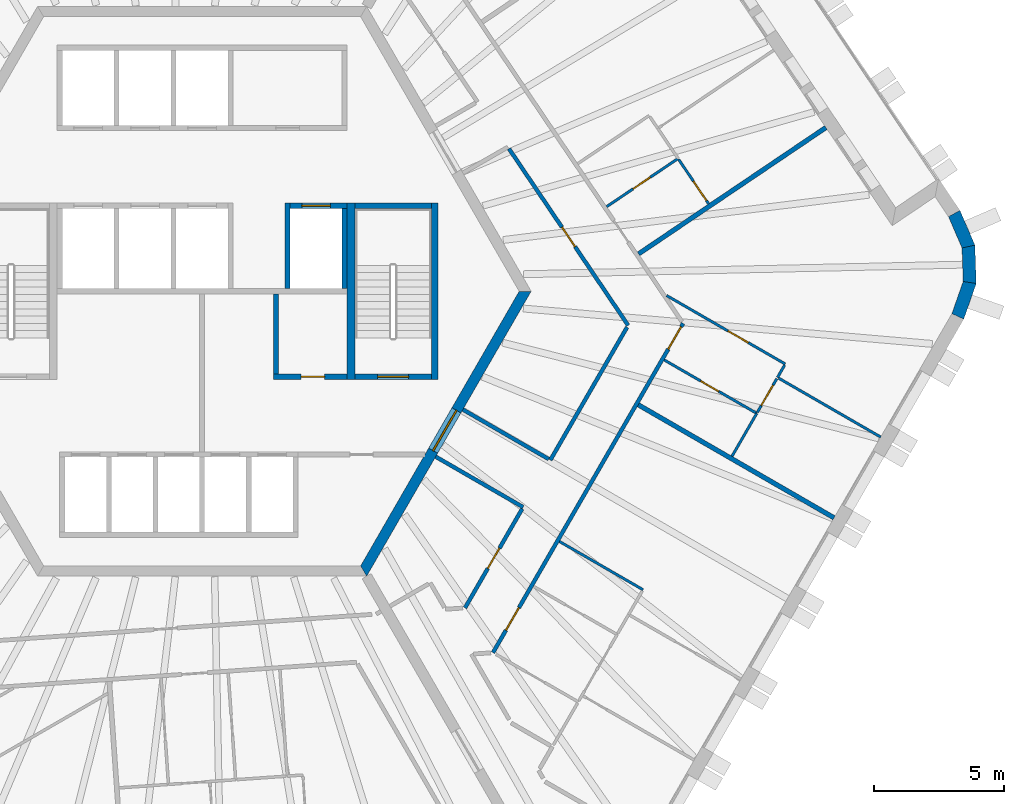
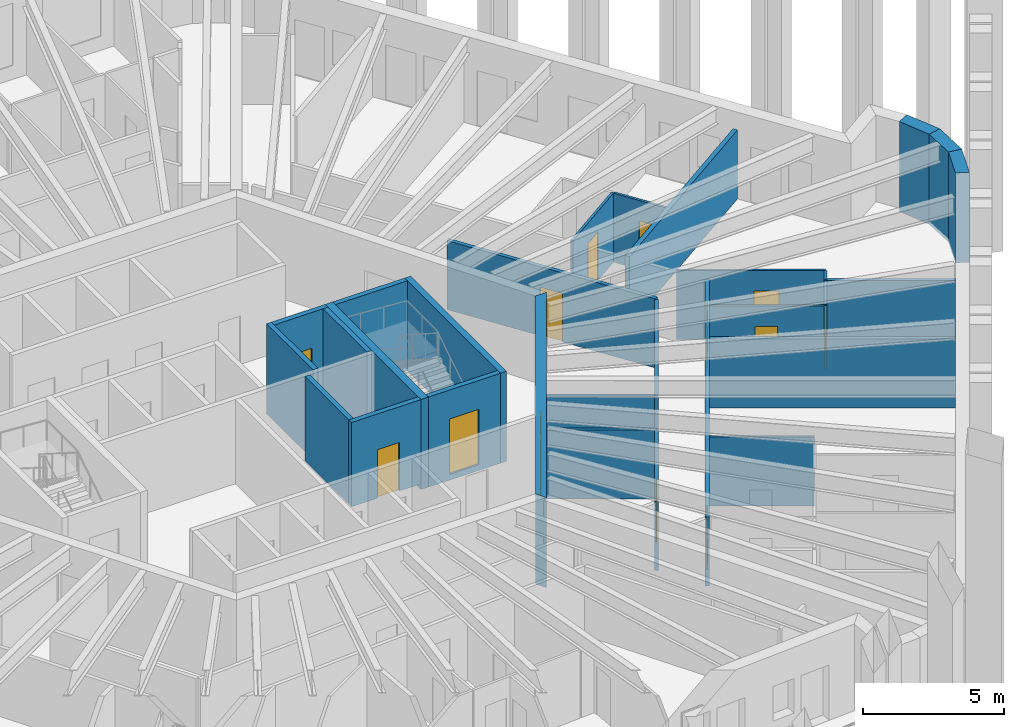
# One storey, part 7 of 13: 30 walls, 13 doors, 13 openings.
"""IFC4 building model written with IfcOpenShell, lengths in metres."""

from ifc_helpers import new_model, si_unit, direction, frame, frame_2d, origin, place, context, subcontext, project, spatial, polyline, rectangle, outline, extrude, material, layer, layer_set, type_object, element, fill, save


model = new_model("IFC4")

# Units and contexts
model_context = context("Model", 3, precision=1e-05, world=origin(), true_north=direction((0.0, 1.0)))
body_context = subcontext(model_context, "Body", "Model", "MODEL_VIEW")
ifc_project = project(units=[si_unit("LENGTHUNIT", "METRE"), si_unit("AREAUNIT", "SQUARE_METRE"), si_unit("VOLUMEUNIT", "CUBIC_METRE"), si_unit("PLANEANGLEUNIT", "RADIAN"), si_unit("MASSUNIT", "GRAM", prefix="KILO")], contexts=[model_context])

# Site, building, storey
site_placement = place(None, origin())
site = spatial("IfcSite", under=ifc_project, at=site_placement, CompositionType="ELEMENT")
building_placement = place(site_placement, origin())
building = spatial("IfcBuilding", under=site, at=building_placement, Name="Tarnside Tower", CompositionType="ELEMENT")
storey_placement = place(building_placement, frame((0.0, 0.0, 314.699951171875)))
storey = spatial("IfcBuildingStorey", under=building, at=storey_placement, Name="L76", CompositionType="ELEMENT", Elevation=314.699951171875)

# Wall
ifc_material_1 = material(Name="Gypsum board partition on steel studs", Category="steel")
ifc_layer_1 = layer(ifc_material_1, 0.10009765625)
ifc_layer_set_1 = layer_set([ifc_layer_1], Name="Bathroom wall 100")
wall_type_1 = type_object("IfcWallType", Name="Bathroom wall 100", PredefinedType="PARTITIONING", material=ifc_layer_set_1)
wall_1_placement = place(storey_placement, frame((13.7939453125, -9.657958984375, 0.0), z_axis=(0.0, 0.0, 1.0), x_axis=(0.866028424924, -0.499994767197, 0.0)))
element("IfcWall", 1, at=wall_1_placement, inside=storey, type_object=wall_type_1, Name="Bathroom wall 25146", PredefinedType="PARTITIONING", context=body_context, shape_type="SweptSolid", body=[
    extrude(rectangle(XDim=3.72509765625, YDim=0.10009765625, at=frame_2d((1.862548828125, 0.0))), origin(), (0.0, 0.0, 1.0), 2.98779296875),
])

# Wall, opening, door
wall_2_placement = place(storey_placement, frame((17.840087890625, -2.650146484375, 0.0), z_axis=(0.0, 0.0, 1.0), x_axis=(0.866019999656, -0.500009360108, 0.0)))
wall_2 = element("IfcWall", 2, at=wall_2_placement, inside=storey, type_object=wall_type_1, Name="Bathroom wall 25163", PredefinedType="PARTITIONING", context=body_context, shape_type="SweptSolid", body=[
    extrude(rectangle(XDim=4.125, YDim=0.10009765625, at=frame_2d((2.0625, 0.0))), origin(), (0.0, 0.0, 1.0), 2.98779296875),
])
opening_1_placement = place(wall_2_placement, frame((1.625, 0.0, 0.0)))
opening_1 = element("IfcOpeningElement", 3, at=opening_1_placement, cuts=wall_2, Name="Opening D-B1", PredefinedType="OPENING", context=body_context, shape_type="SweptSolid", body=[
    extrude(rectangle(XDim=0.800048828125, YDim=2.10009765625, at=frame_2d((0.39990234375, 1.050048828125))), frame((0.0, 0.06005859375, 0.0), z_axis=(0.0, -1.0, 0.0), x_axis=(1.0, 0.0, 0.0)), (0.0, 0.0, 1.0), 0.1201171875),
])
ifc_material_2 = material(Name="Timber door leaf", Category="wood")
door_type_1 = type_object("IfcDoorType", Name="Bathroom door 800", OperationType="NOTDEFINED", PredefinedType="DOOR", material=ifc_material_2)
door_1_placement = place(opening_1_placement, origin())
door_1 = element("IfcDoor", 4, at=door_1_placement, inside=storey, type_object=door_type_1, Name="Bathroom door 25058", OperationType="SINGLE_SWING_RIGHT", OverallHeight=2.10009765625, OverallWidth=0.800048828125, PredefinedType="DOOR", context=body_context, shape_type="SweptSolid", body=[
    extrude(rectangle(XDim=0.800048828125, YDim=2.10009765625, at=frame_2d((0.39990234375, 1.050048828125))), frame((0.0, 0.02490234375, 0.0), z_axis=(0.0, -1.0, 0.0), x_axis=(1.0, 0.0, 0.0)), (0.0, 0.0, 1.0), 0.050048828125),
])
fill(opening_1, door_1)

# Wall
wall_3_placement = place(storey_placement, frame((20.457275390625, -6.366943359375, 0.0), z_axis=(0.0, 0.0, 1.0), x_axis=(0.499984020225, 0.866034629516, 0.0)))
element("IfcWall", 5, at=wall_3_placement, inside=storey, type_object=wall_type_1, Name="Bathroom wall 25165", PredefinedType="PARTITIONING", context=body_context, shape_type="SweptSolid", body=[
    extrude(rectangle(XDim=1.912109375, YDim=0.10009765625, at=frame_2d((0.9560546875, 0.0))), origin(), (0.0, 0.0, 1.0), 2.98779296875),
])

# Wall, opening, door
wall_4_placement = place(storey_placement, frame((18.37451171875, 5.126708984375, 0.0), z_axis=(0.0, 0.0, 1.0), x_axis=(-0.82903334026, -0.559199178055, 0.0)))
wall_4 = element("IfcWall", 6, at=wall_4_placement, inside=storey, type_object=wall_type_1, Name="Bathroom wall 25170", PredefinedType="PARTITIONING", context=body_context, shape_type="SweptSolid", body=[
    extrude(rectangle(XDim=3.324951171875, YDim=0.10009765625, at=frame_2d((1.66259765625, 0.0))), origin(), (0.0, 0.0, 1.0), 2.98779296875),
])
opening_2_placement = place(wall_4_placement, frame((1.300048828125, 0.0, 0.0)))
opening_2 = element("IfcOpeningElement", 7, at=opening_2_placement, cuts=wall_4, Name="Opening D-B1", PredefinedType="OPENING", context=body_context, shape_type="SweptSolid", body=[
    extrude(rectangle(XDim=0.800048828125, YDim=2.10009765625, at=frame_2d((0.39990234375, 1.050048828125))), frame((0.0, 0.06005859375, 0.0), z_axis=(0.0, -1.0, 0.0), x_axis=(1.0, 0.0, 0.0)), (0.0, 0.0, 1.0), 0.1201171875),
])
door_2_placement = place(opening_2_placement, origin())
door_2 = element("IfcDoor", 8, at=door_2_placement, inside=storey, type_object=door_type_1, Name="Bathroom door 25062", OperationType="SINGLE_SWING_LEFT", OverallHeight=2.10009765625, OverallWidth=0.800048828125, PredefinedType="DOOR", context=body_context, shape_type="SweptSolid", body=[
    extrude(rectangle(XDim=0.800048828125, YDim=2.10009765625, at=frame_2d((0.39990234375, 1.050048828125))), frame((0.0, 0.02490234375, 0.0), z_axis=(0.0, -1.0, 0.0), x_axis=(1.0, 0.0, 0.0)), (0.0, 0.0, 1.0), 0.050048828125),
])
fill(opening_2, door_2)

ifc_material_3 = material(Name="Concrete C40/50", Category="concrete")
ifc_layer_2 = layer(ifc_material_3, 0.199951171875)
ifc_layer_set_2 = layer_set([ifc_layer_2], Name="Core room partition 200 C40/50")
wall_type_2 = type_object("IfcWallType", Name="Core room partition 200 C40/50", PredefinedType="PARTITIONING", material=ifc_layer_set_2)
wall_5_placement = place(storey_placement, frame((2.75, -3.300048828125, 0.0), z_axis=(0.0, 0.0, 1.0), x_axis=(1.0, 0.0, 0.0)))
wall_5 = element("IfcWall", 9, at=wall_5_placement, inside=storey, type_object=wall_type_2, Name="L76 core partition R3S1", PredefinedType="PARTITIONING", context=body_context, shape_type="SweptSolid", body=[
    extrude(rectangle(XDim=2.85009765625, YDim=0.199951171875, at=frame_2d((1.425048828125, 0.0))), origin(), (0.0, 0.0, 1.0), 3.650146484375),
])
opening_3_placement = place(wall_5_placement, frame((1.074951171875, 0.0, 0.0)))
opening_3 = element("IfcOpeningElement", 10, at=opening_3_placement, cuts=wall_5, Name="Opening CD-room", PredefinedType="OPENING", context=body_context, shape_type="SweptSolid", body=[
    extrude(rectangle(XDim=0.89990234375, YDim=2.10009765625, at=frame_2d((0.449951171875, 1.050048828125))), frame((0.0, 0.10986328125, 0.0), z_axis=(0.0, -1.0, 0.0), x_axis=(1.0, 0.0, 0.0)), (0.0, 0.0, 1.0), 0.219970703125),
])
ifc_material_4 = material(Name="Steel fire door", Category="steel")
door_type_2 = type_object("IfcDoorType", Name="Room door FD60 900x2100", OperationType="NOTDEFINED", PredefinedType="DOOR", material=ifc_material_4)
door_3_placement = place(opening_3_placement, origin())
door_3 = element("IfcDoor", 11, at=door_3_placement, inside=storey, type_object=door_type_2, Name="L76 core room door SR1", OperationType="SINGLE_SWING_LEFT", OverallHeight=2.10009765625, OverallWidth=0.89990234375, PredefinedType="DOOR", context=body_context, shape_type="SweptSolid", body=[
    extrude(rectangle(XDim=0.89990234375, YDim=2.10009765625, at=frame_2d((0.449951171875, 1.050048828125))), frame((0.0, 0.02490234375, 0.0), z_axis=(0.0, -1.0, 0.0), x_axis=(1.0, 0.0, 0.0)), (0.0, 0.0, 1.0), 0.050048828125),
])
fill(opening_3, door_3)

# Wall
wall_6_placement = place(storey_placement, frame((2.85009765625, -3.199951171875, 0.0), z_axis=(0.0, 0.0, 1.0), x_axis=(0.0, 1.0, 0.0)))
element("IfcWall", 12, at=wall_6_placement, inside=storey, type_object=wall_type_2, Name="L76 core partition R3P1a", PredefinedType="PARTITIONING", context=body_context, shape_type="SweptSolid", body=[
    extrude(rectangle(XDim=3.099853515625, YDim=0.199951171875, at=frame_2d((1.5498046875, 0.0))), origin(), (0.0, 0.0, 1.0), 3.650146484375),
])

# Wall, opening, door
ifc_material_5 = material(Name="Concrete C60/75", Category="concrete")
ifc_layer_3 = layer(ifc_material_5, 0.39990234375)
ifc_layer_set_3 = layer_set([ifc_layer_3], Name="Core wall Z3 400 C60/75")
wall_type_3 = type_object("IfcWallType", Name="Core wall Z3 400 C60/75", PredefinedType="SHEAR", material=ifc_layer_set_3)
wall_7_placement = place(storey_placement, frame((6.2353515625, -10.800048828125, -0.14990234375), z_axis=(0.0, 0.0, 1.0), x_axis=(0.499996419489, 0.866027470984, 0.0)))
wall_7 = element("IfcWall", 13, at=wall_7_placement, inside=storey, type_object=wall_type_3, Name="L76 core wall face 5", PredefinedType="SHEAR", context=body_context, shape_type="SweptSolid", body=[
    extrude(outline(polyline([(-0.115478515625, -0.199951171875), (12.586181640625, -0.199951171875), (12.355224609375, 0.199951171875), (0.115478515625, 0.199951171875), (-0.115478515625, -0.199951171875)])), origin(), (0.0, 0.0, 1.0), 3.89990234375),
])
opening_4_placement = place(wall_7_placement, frame((5.3642578125, 0.0, 0.14990234375)))
opening_4 = element("IfcOpeningElement", 14, at=opening_4_placement, cuts=wall_7, Name="Opening CD-FFL", PredefinedType="OPENING", context=body_context, shape_type="SweptSolid", body=[
    extrude(rectangle(XDim=1.800048828125, YDim=2.39990234375, at=frame_2d((0.89990234375, 1.199951171875))), frame((0.0, 0.2099609375, 0.0), z_axis=(0.0, -1.0, 0.0), x_axis=(1.0, 0.0, 0.0)), (0.0, 0.0, 1.0), 0.419921875),
])
door_type_3 = type_object("IfcDoorType", Name="Firefighting lobby double door FD60S 1800x2400", OperationType="NOTDEFINED", PredefinedType="DOOR", material=ifc_material_4)
door_4_placement = place(opening_4_placement, origin())
door_4 = element("IfcDoor", 15, at=door_4_placement, inside=storey, type_object=door_type_3, Name="L76 core door P4", OperationType="DOUBLE_DOOR_SINGLE_SWING", OverallHeight=2.39990234375, OverallWidth=1.800048828125, PredefinedType="DOOR", context=body_context, shape_type="SweptSolid", body=[
    extrude(rectangle(XDim=1.800048828125, YDim=2.39990234375, at=frame_2d((0.89990234375, 1.199951171875))), frame((0.0, 0.02490234375, 0.0), z_axis=(0.0, -1.0, 0.0), x_axis=(1.0, 0.0, 0.0)), (0.0, 0.0, 1.0), 0.050048828125),
])
fill(opening_4, door_4)

# Wall, openings, doors
ifc_layer_4 = layer(ifc_material_1, 0.14990234375)
ifc_layer_set_4 = layer_set([ifc_layer_4], Name="Corridor wall 150 EI 60")
wall_type_4 = type_object("IfcWallType", Name="Corridor wall 150 EI 60", PredefinedType="PARTITIONING", material=ifc_layer_set_4)
wall_8_placement = place(storey_placement, frame((11.22900390625, -13.95068359375, 0.0), z_axis=(0.0, 0.0, 1.0), x_axis=(0.499997948852, 0.866026588012, 0.0)))
wall_8 = element("IfcWall", 16, at=wall_8_placement, inside=storey, type_object=wall_type_4, Name="Corridor wall 25053", PredefinedType="PARTITIONING", context=body_context, shape_type="SweptSolid", body=[
    extrude(rectangle(XDim=14.67724609375, YDim=0.14990234375, at=frame_2d((7.338623046875, 0.0))), origin(), (0.0, 0.0, 1.0), 2.98779296875),
])
opening_5_placement = place(wall_8_placement, frame((1.0, 0.0, 0.0)))
opening_5 = element("IfcOpeningElement", 17, at=opening_5_placement, cuts=wall_8, Name="Opening D-E1", PredefinedType="OPENING", context=body_context, shape_type="SweptSolid", body=[
    extrude(rectangle(XDim=1.0, YDim=2.10009765625, at=frame_2d((0.5, 1.050048828125))), frame((0.0, 0.0849609375, 0.0), z_axis=(0.0, -1.0, 0.0), x_axis=(1.0, 0.0, 0.0)), (0.0, 0.0, 1.0), 0.169921875),
])
opening_6_placement = place(wall_8_placement, frame((13.52734375, 0.0, 0.0)))
opening_6 = element("IfcOpeningElement", 18, at=opening_6_placement, cuts=wall_8, Name="Opening D-E1", PredefinedType="OPENING", context=body_context, shape_type="SweptSolid", body=[
    extrude(rectangle(XDim=1.0, YDim=2.10009765625, at=frame_2d((0.5, 1.050048828125))), frame((0.0, 0.0849609375, 0.0), z_axis=(0.0, -1.0, 0.0), x_axis=(1.0, 0.0, 0.0)), (0.0, 0.0, 1.0), 0.169921875),
])
door_type_4 = type_object("IfcDoorType", Name="Unit entrance door 1000 FD30S", OperationType="NOTDEFINED", PredefinedType="DOOR", material=ifc_material_2)
door_5_placement = place(opening_5_placement, origin())
door_5 = element("IfcDoor", 19, at=door_5_placement, inside=storey, type_object=door_type_4, Name="Unit door 25047", OperationType="SINGLE_SWING_RIGHT", OverallHeight=2.10009765625, OverallWidth=1.0, PredefinedType="DOOR", context=body_context, shape_type="SweptSolid", body=[
    extrude(rectangle(XDim=1.0, YDim=2.10009765625, at=frame_2d((0.5, 1.050048828125))), frame((0.0, 0.02490234375, 0.0), z_axis=(0.0, -1.0, 0.0), x_axis=(1.0, 0.0, 0.0)), (0.0, 0.0, 1.0), 0.050048828125),
])
fill(opening_5, door_5)
door_6_placement = place(opening_6_placement, origin())
door_6 = element("IfcDoor", 20, at=door_6_placement, inside=storey, type_object=door_type_4, Name="Unit door 25057", OperationType="SINGLE_SWING_LEFT", OverallHeight=2.10009765625, OverallWidth=1.0, PredefinedType="DOOR", context=body_context, shape_type="SweptSolid", body=[
    extrude(rectangle(XDim=1.0, YDim=2.10009765625, at=frame_2d((0.5, 1.050048828125))), frame((0.0, 0.02490234375, 0.0), z_axis=(0.0, -1.0, 0.0), x_axis=(1.0, 0.0, 0.0)), (0.0, 0.0, 1.0), 0.050048828125),
])
fill(opening_6, door_6)

# Wall, opening, door
wall_9_placement = place(storey_placement, frame((11.845703125, 5.5068359375, 0.0), z_axis=(0.0, 0.0, 1.0), x_axis=(0.559204754045, -0.829029579119, 0.0)))
wall_9 = element("IfcWall", 21, at=wall_9_placement, inside=storey, type_object=wall_type_4, Name="Corridor wall 25074", PredefinedType="PARTITIONING", context=body_context, shape_type="SweptSolid", body=[
    extrude(rectangle(XDim=8.2275390625, YDim=0.14990234375, at=frame_2d((4.11376953125, 0.0))), origin(), (0.0, 0.0, 1.0), 2.98779296875),
])
opening_7_placement = place(wall_9_placement, frame((3.66357421875, 0.0, 0.0)))
opening_7 = element("IfcOpeningElement", 22, at=opening_7_placement, cuts=wall_9, Name="Opening D-S1", PredefinedType="OPENING", context=body_context, shape_type="SweptSolid", body=[
    extrude(rectangle(XDim=0.89990234375, YDim=2.10009765625, at=frame_2d((0.449951171875, 1.050048828125))), frame((0.0, 0.0849609375, 0.0), z_axis=(0.0, -1.0, 0.0), x_axis=(1.0, 0.0, 0.0)), (0.0, 0.0, 1.0), 0.169921875),
])
door_type_5 = type_object("IfcDoorType", Name="Service room door 900 FD30S", OperationType="NOTDEFINED", PredefinedType="DOOR", material=ifc_material_2)
door_7_placement = place(opening_7_placement, origin())
door_7 = element("IfcDoor", 23, at=door_7_placement, inside=storey, type_object=door_type_5, Name="Service door 25075", OperationType="SINGLE_SWING_LEFT", OverallHeight=2.10009765625, OverallWidth=0.89990234375, PredefinedType="DOOR", context=body_context, shape_type="SweptSolid", body=[
    extrude(rectangle(XDim=0.89990234375, YDim=2.10009765625, at=frame_2d((0.449951171875, 1.050048828125))), frame((0.0, 0.02490234375, 0.0), z_axis=(0.0, -1.0, 0.0), x_axis=(1.0, 0.0, 0.0)), (0.0, 0.0, 1.0), 0.050048828125),
])
fill(opening_7, door_7)

# Walls
wall_10_placement = place(storey_placement, frame((16.40478515625, -1.38623046875, 0.0), z_axis=(0.0, 0.0, 1.0), x_axis=(-0.500026921216, -0.866009860255, 0.0)))
element("IfcWall", 24, at=wall_10_placement, inside=storey, type_object=wall_type_4, Name="Corridor wall 25075", PredefinedType="PARTITIONING", context=body_context, shape_type="SweptSolid", body=[
    extrude(rectangle(XDim=5.923095703125, YDim=0.14990234375, at=frame_2d((2.96142578125, 0.0))), origin(), (0.0, 0.0, 1.0), 2.98779296875),
])
wall_11_placement = place(storey_placement, frame((13.378173828125, -6.478271484375, 0.0), z_axis=(0.0, 0.0, 1.0), x_axis=(-0.866011265228, 0.500024487898, 0.0)))
element("IfcWall", 25, at=wall_11_placement, inside=storey, type_object=wall_type_4, Name="Corridor wall 25076", PredefinedType="PARTITIONING", context=body_context, shape_type="SweptSolid", body=[
    extrude(rectangle(XDim=3.824951171875, YDim=0.14990234375, at=frame_2d((1.91259765625, 0.0))), origin(), (0.0, 0.0, 1.0), 2.98779296875),
])
wall_12_placement = place(storey_placement, frame((9.015625, -6.38427734375, 0.0), z_axis=(0.0, 0.0, 1.0), x_axis=(0.866042777325, -0.499969906938, 0.0)))
element("IfcWall", 26, at=wall_12_placement, inside=storey, type_object=wall_type_4, Name="Corridor wall 25077", PredefinedType="PARTITIONING", context=body_context, shape_type="SweptSolid", body=[
    extrude(rectangle(XDim=3.900146484375, YDim=0.14990234375, at=frame_2d((1.9501953125, 0.0))), origin(), (0.0, 0.0, 1.0), 2.98779296875),
])

# Wall, opening, door
wall_13_placement = place(storey_placement, frame((12.355712890625, -8.399169921875, 0.0), z_axis=(0.0, 0.0, 1.0), x_axis=(-0.499993756358, -0.866029008523, 0.0)))
wall_13 = element("IfcWall", 27, at=wall_13_placement, inside=storey, type_object=wall_type_4, Name="Corridor wall 25078", PredefinedType="PARTITIONING", context=body_context, shape_type="SweptSolid", body=[
    extrude(rectangle(XDim=4.4140625, YDim=0.14990234375, at=frame_2d((2.20703125, 0.0))), origin(), (0.0, 0.0, 1.0), 2.98779296875),
])
opening_8_placement = place(wall_13_placement, frame((1.7568359375, 0.0, 0.0)))
opening_8 = element("IfcOpeningElement", 28, at=opening_8_placement, cuts=wall_13, Name="Opening D-S1", PredefinedType="OPENING", context=body_context, shape_type="SweptSolid", body=[
    extrude(rectangle(XDim=0.89990234375, YDim=2.10009765625, at=frame_2d((0.449951171875, 1.050048828125))), frame((0.0, 0.0849609375, 0.0), z_axis=(0.0, -1.0, 0.0), x_axis=(1.0, 0.0, 0.0)), (0.0, 0.0, 1.0), 0.169921875),
])
door_8_placement = place(opening_8_placement, origin())
door_8 = element("IfcDoor", 29, at=door_8_placement, inside=storey, type_object=door_type_5, Name="Service door 25076", OperationType="SINGLE_SWING_LEFT", OverallHeight=2.10009765625, OverallWidth=0.89990234375, PredefinedType="DOOR", context=body_context, shape_type="SweptSolid", body=[
    extrude(rectangle(XDim=0.89990234375, YDim=2.10009765625, at=frame_2d((0.449951171875, 1.050048828125))), frame((0.0, 0.02490234375, 0.0), z_axis=(0.0, -1.0, 0.0), x_axis=(1.0, 0.0, 0.0)), (0.0, 0.0, 1.0), 0.050048828125),
])
fill(opening_8, door_8)

# Walls
ifc_layer_5 = layer(ifc_material_1, 0.179931640625)
ifc_layer_set_5 = layer_set([ifc_layer_5], Name="Demising wall 180 EI 60")
wall_type_5 = type_object("IfcWallType", Name="Demising wall 180 EI 60", PredefinedType="PARTITIONING", material=ifc_layer_set_5)
wall_14_placement = place(storey_placement, frame((24.39599609375, -8.744873046875, 0.0), z_axis=(0.0, 0.0, 1.0), x_axis=(-0.866018297078, 0.500012308975, 0.0)))
element("IfcWall", 30, at=wall_14_placement, inside=storey, type_object=wall_type_5, Name="Demising wall 25149", PredefinedType="PARTITIONING", context=body_context, shape_type="SweptSolid", body=[
    extrude(rectangle(XDim=8.724853515625, YDim=0.179931640625, at=frame_2d((4.3623046875, 0.0))), origin(), (0.0, 0.0, 1.0), 2.98779296875),
])
wall_15_placement = place(storey_placement, frame((24.08154296875, 6.322509765625, 0.0), z_axis=(0.0, 0.0, 1.0), x_axis=(-0.829028989438, -0.559205628254, 0.0)))
element("IfcWall", 31, at=wall_15_placement, inside=storey, type_object=wall_type_5, Name="Demising wall 25161", PredefinedType="PARTITIONING", context=body_context, shape_type="SweptSolid", body=[
    extrude(rectangle(XDim=8.72509765625, YDim=0.179931640625, at=frame_2d((4.362548828125, 0.0))), origin(), (0.0, 0.0, 1.0), 2.98779296875),
])

# Wall, opening, door
ifc_layer_6 = layer(ifc_material_3, 0.199951171875)
ifc_layer_set_6 = layer_set([ifc_layer_6], Name="Lift shaft wall 200 C40/50")
wall_type_6 = type_object("IfcWallType", Name="Lift shaft wall 200 C40/50", PredefinedType="SHEAR", material=ifc_layer_set_6)
wall_16_placement = place(storey_placement, frame((3.39990234375, 3.300048828125, -0.25), z_axis=(0.0, 0.0, 1.0), x_axis=(1.0, 0.0, 0.0)))
wall_16 = element("IfcWall", 32, at=wall_16_placement, inside=storey, type_object=wall_type_6, Name="L76 lift shaft front wall R2 2", PredefinedType="SHEAR", context=body_context, shape_type="SweptSolid", body=[
    extrude(rectangle(XDim=2.2001953125, YDim=0.199951171875, at=frame_2d((1.10009765625, 0.0))), origin(), (0.0, 0.0, 1.0), 3.900146484375),
])
opening_9_placement = place(wall_16_placement, frame((0.449951171875, 0.0, 0.25)))
opening_9 = element("IfcOpeningElement", 33, at=opening_9_placement, cuts=wall_16, Name="Opening LD", PredefinedType="OPENING", context=body_context, shape_type="SweptSolid", body=[
    extrude(rectangle(XDim=1.10009765625, YDim=2.10009765625, at=frame_2d((0.550048828125, 1.050048828125))), frame((0.0, 0.10986328125, 0.0), z_axis=(0.0, -1.0, 0.0), x_axis=(1.0, 0.0, 0.0)), (0.0, 0.0, 1.0), 0.219970703125),
])
ifc_material_6 = material(Name="Stainless steel", Category="steel")
door_type_6 = type_object("IfcDoorType", Name="Lift landing door 1100x2100", OperationType="NOTDEFINED", PredefinedType="DOOR", material=ifc_material_6)
door_9_placement = place(opening_9_placement, origin())
door_9 = element("IfcDoor", 34, at=door_9_placement, inside=storey, type_object=door_type_6, Name="Express sky-lobby shuttle 2 landing door L76", OperationType="SLIDING_TO_LEFT", OverallHeight=2.10009765625, OverallWidth=1.10009765625, PredefinedType="DOOR", context=body_context, shape_type="SweptSolid", body=[
    extrude(rectangle(XDim=1.10009765625, YDim=2.10009765625, at=frame_2d((0.550048828125, 1.050048828125))), frame((0.0, 0.02490234375, 0.0), z_axis=(0.0, -1.0, 0.0), x_axis=(1.0, 0.0, 0.0)), (0.0, 0.0, 1.0), 0.050048828125),
])
fill(opening_9, door_9)

# Walls
wall_17_placement = place(storey_placement, frame((3.300048828125, 0.10009765625, -0.25), z_axis=(0.0, 0.0, 1.0), x_axis=(0.0, 1.0, 0.0)))
element("IfcWall", 35, at=wall_17_placement, inside=storey, type_object=wall_type_6, Name="L76 lift shaft partition R25", PredefinedType="SHEAR", context=body_context, shape_type="SweptSolid", body=[
    extrude(rectangle(XDim=3.2998046875, YDim=0.199951171875, at=frame_2d((1.64990234375, 0.0))), origin(), (0.0, 0.0, 1.0), 3.900146484375),
])
wall_18_placement = place(storey_placement, frame((5.5, 0.10009765625, -0.25), z_axis=(0.0, 0.0, 1.0), x_axis=(0.0, 1.0, 0.0)))
element("IfcWall", 36, at=wall_18_placement, inside=storey, type_object=wall_type_6, Name="L76 lift shaft partition R26", PredefinedType="SHEAR", context=body_context, shape_type="SweptSolid", body=[
    extrude(rectangle(XDim=3.099853515625, YDim=0.199951171875, at=frame_2d((1.5498046875, 0.0))), origin(), (0.0, 0.0, 1.0), 3.900146484375),
])
wall_19_placement = place(storey_placement, frame((5.89990234375, 3.300048828125, -0.25), z_axis=(0.0, 0.0, 1.0), x_axis=(1.0, 0.0, 0.0)))
element("IfcWall", 37, at=wall_19_placement, inside=storey, type_object=wall_type_6, Name="L76 stair 1 enclosure cap wall n", PredefinedType="SHEAR", context=body_context, shape_type="SweptSolid", body=[
    extrude(rectangle(XDim=2.9501953125, YDim=0.199951171875, at=frame_2d((1.47509765625, 0.0))), origin(), (0.0, 0.0, 1.0), 3.900146484375),
])

# Wall, opening, door
wall_20_placement = place(storey_placement, frame((5.89990234375, -3.300048828125, -0.25), z_axis=(0.0, 0.0, 1.0), x_axis=(1.0, 0.0, 0.0)))
wall_20 = element("IfcWall", 38, at=wall_20_placement, inside=storey, type_object=wall_type_6, Name="L76 stair 1 enclosure cap wall s", PredefinedType="SHEAR", context=body_context, shape_type="SweptSolid", body=[
    extrude(rectangle(XDim=2.9501953125, YDim=0.199951171875, at=frame_2d((1.47509765625, 0.0))), origin(), (0.0, 0.0, 1.0), 3.900146484375),
])
opening_10_placement = place(wall_20_placement, frame((0.875, 0.0, 0.25)))
opening_10 = element("IfcOpeningElement", 39, at=opening_10_placement, cuts=wall_20, Name="Opening CD-STR", PredefinedType="OPENING", context=body_context, shape_type="SweptSolid", body=[
    extrude(rectangle(XDim=1.199951171875, YDim=2.39990234375, at=frame_2d((0.60009765625, 1.199951171875))), frame((0.0, 0.10986328125, 0.0), z_axis=(0.0, -1.0, 0.0), x_axis=(1.0, 0.0, 0.0)), (0.0, 0.0, 1.0), 0.219970703125),
])
door_type_7 = type_object("IfcDoorType", Name="Stair door FD60S 1200x2400", OperationType="NOTDEFINED", PredefinedType="DOOR", material=ifc_material_4)
door_10_placement = place(opening_10_placement, origin())
door_10 = element("IfcDoor", 40, at=door_10_placement, inside=storey, type_object=door_type_7, Name="L76 stair 1 door", OperationType="SINGLE_SWING_LEFT", OverallHeight=2.39990234375, OverallWidth=1.199951171875, PredefinedType="DOOR", context=body_context, shape_type="SweptSolid", body=[
    extrude(rectangle(XDim=1.199951171875, YDim=2.39990234375, at=frame_2d((0.60009765625, 1.199951171875))), frame((0.0, 0.02490234375, 0.0), z_axis=(0.0, -1.0, 0.0), x_axis=(1.0, 0.0, 0.0)), (0.0, 0.0, 1.0), 0.050048828125),
])
fill(opening_10, door_10)

ifc_layer_7 = layer(ifc_material_1, 0.10009765625)
ifc_layer_set_7 = layer_set([ifc_layer_7], Name="Partition 100")
wall_type_7 = type_object("IfcWallType", Name="Partition 100", PredefinedType="PARTITIONING", material=ifc_layer_set_7)
wall_21_placement = place(storey_placement, frame((17.931640625, -0.162841796875, 0.0), z_axis=(0.0, 0.0, 1.0), x_axis=(0.866021868245, -0.500006123685, 0.0)))
wall_21 = element("IfcWall", 41, at=wall_21_placement, inside=storey, type_object=wall_type_7, Name="Partition wall 25158", PredefinedType="PARTITIONING", context=body_context, shape_type="SweptSolid", body=[
    extrude(rectangle(XDim=5.28955078125, YDim=0.10009765625, at=frame_2d((2.644775390625, 0.0))), origin(), (0.0, 0.0, 1.0), 2.98779296875),
])
opening_11_placement = place(wall_21_placement, frame((2.7392578125, 0.0, 0.0)))
opening_11 = element("IfcOpeningElement", 42, at=opening_11_placement, cuts=wall_21, Name="Opening D-I1", PredefinedType="OPENING", context=body_context, shape_type="SweptSolid", body=[
    extrude(rectangle(XDim=0.89990234375, YDim=2.10009765625, at=frame_2d((0.449951171875, 1.050048828125))), frame((0.0, 0.06005859375, 0.0), z_axis=(0.0, -1.0, 0.0), x_axis=(1.0, 0.0, 0.0)), (0.0, 0.0, 1.0), 0.1201171875),
])
door_type_8 = type_object("IfcDoorType", Name="Internal door 900", OperationType="NOTDEFINED", PredefinedType="DOOR", material=ifc_material_2)
door_11_placement = place(opening_11_placement, origin())
door_11 = element("IfcDoor", 43, at=door_11_placement, inside=storey, type_object=door_type_8, Name="Internal door 25059", OperationType="SINGLE_SWING_LEFT", OverallHeight=2.10009765625, OverallWidth=0.89990234375, PredefinedType="DOOR", context=body_context, shape_type="SweptSolid", body=[
    extrude(rectangle(XDim=0.89990234375, YDim=2.10009765625, at=frame_2d((0.449951171875, 1.050048828125))), frame((0.0, 0.02490234375, 0.0), z_axis=(0.0, -1.0, 0.0), x_axis=(1.0, 0.0, 0.0)), (0.0, 0.0, 1.0), 0.050048828125),
])
fill(opening_11, door_11)

# Walls
wall_22_placement = place(storey_placement, frame((22.4873046875, -2.850830078125, 0.0), z_axis=(0.0, 0.0, 1.0), x_axis=(-0.499850094852, -0.866111934265, 0.0)))
element("IfcWall", 44, at=wall_22_placement, inside=storey, type_object=wall_type_7, Name="Partition wall 25159", PredefinedType="PARTITIONING", context=body_context, shape_type="SweptSolid", body=[
    extrude(rectangle(XDim=0.552001953125, YDim=0.10009765625, at=frame_2d((0.27587890625, 0.0))), origin(), (0.0, 0.0, 1.0), 2.98779296875),
])
wall_23_placement = place(storey_placement, frame((22.255615234375, -3.35205078125, 0.0), z_axis=(0.0, 0.0, 1.0), x_axis=(0.866012237902, -0.500022803284, 0.0)))
element("IfcWall", 45, at=wall_23_placement, inside=storey, type_object=wall_type_7, Name="Partition wall 25160", PredefinedType="PARTITIONING", context=body_context, shape_type="SweptSolid", body=[
    extrude(rectangle(XDim=4.550048828125, YDim=0.10009765625, at=frame_2d((2.27490234375, 0.0))), origin(), (0.0, 0.0, 1.0), 2.98779296875),
])

# Wall, opening, door
wall_24_placement = place(storey_placement, frame((21.436279296875, -4.671142578125, 0.0), z_axis=(0.0, 0.0, 1.0), x_axis=(0.499985098601, 0.86603400694, 0.0)))
wall_24 = element("IfcWall", 46, at=wall_24_placement, inside=storey, type_object=wall_type_7, Name="Partition wall 25164", PredefinedType="PARTITIONING", context=body_context, shape_type="SweptSolid", body=[
    extrude(rectangle(XDim=1.501953125, YDim=0.10009765625, at=frame_2d((0.7509765625, 0.0))), origin(), (0.0, 0.0, 1.0), 2.98779296875),
])
opening_12_placement = place(wall_24_placement, frame((0.302001953125, 0.0, 0.0)))
opening_12 = element("IfcOpeningElement", 47, at=opening_12_placement, cuts=wall_24, Name="Opening D-I1", PredefinedType="OPENING", context=body_context, shape_type="SweptSolid", body=[
    extrude(rectangle(XDim=0.89990234375, YDim=2.10009765625, at=frame_2d((0.449951171875, 1.050048828125))), frame((0.0, 0.06005859375, 0.0), z_axis=(0.0, -1.0, 0.0), x_axis=(1.0, 0.0, 0.0)), (0.0, 0.0, 1.0), 0.1201171875),
])
door_12_placement = place(opening_12_placement, origin())
door_12 = element("IfcDoor", 48, at=door_12_placement, inside=storey, type_object=door_type_8, Name="Internal door 25060", OperationType="SINGLE_SWING_LEFT", OverallHeight=2.10009765625, OverallWidth=0.89990234375, PredefinedType="DOOR", context=body_context, shape_type="SweptSolid", body=[
    extrude(rectangle(XDim=0.89990234375, YDim=2.10009765625, at=frame_2d((0.449951171875, 1.050048828125))), frame((0.0, 0.02490234375, 0.0), z_axis=(0.0, -1.0, 0.0), x_axis=(1.0, 0.0, 0.0)), (0.0, 0.0, 1.0), 0.050048828125),
])
fill(opening_12, door_12)

wall_25_placement = place(storey_placement, frame((19.554443359375, 3.37744140625, 0.0), z_axis=(0.0, 0.0, 1.0), x_axis=(-0.559200338399, 0.829032557584, 0.0)))
wall_25 = element("IfcWall", 49, at=wall_25_placement, inside=storey, type_object=wall_type_7, Name="Partition wall 25171", PredefinedType="PARTITIONING", context=body_context, shape_type="SweptSolid", body=[
    extrude(rectangle(XDim=2.06201171875, YDim=0.10009765625, at=frame_2d((1.031005859375, 0.0))), origin(), (0.0, 0.0, 1.0), 2.98779296875),
])
opening_13_placement = place(wall_25_placement, frame((0.14990234375, 0.0, 0.0)))
opening_13 = element("IfcOpeningElement", 50, at=opening_13_placement, cuts=wall_25, Name="Opening D-I1", PredefinedType="OPENING", context=body_context, shape_type="SweptSolid", body=[
    extrude(rectangle(XDim=0.89990234375, YDim=2.10009765625, at=frame_2d((0.449951171875, 1.050048828125))), frame((0.0, 0.06005859375, 0.0), z_axis=(0.0, -1.0, 0.0), x_axis=(1.0, 0.0, 0.0)), (0.0, 0.0, 1.0), 0.1201171875),
])
door_13_placement = place(opening_13_placement, origin())
door_13 = element("IfcDoor", 51, at=door_13_placement, inside=storey, type_object=door_type_8, Name="Internal door 25064", OperationType="SINGLE_SWING_LEFT", OverallHeight=2.10009765625, OverallWidth=0.89990234375, PredefinedType="DOOR", context=body_context, shape_type="SweptSolid", body=[
    extrude(rectangle(XDim=0.89990234375, YDim=2.10009765625, at=frame_2d((0.449951171875, 1.050048828125))), frame((0.0, 0.02490234375, 0.0), z_axis=(0.0, -1.0, 0.0), x_axis=(1.0, 0.0, 0.0)), (0.0, 0.0, 1.0), 0.050048828125),
])
fill(opening_13, door_13)

# Walls
ifc_layer_8 = layer(ifc_material_3, 0.25)
ifc_layer_set_8 = layer_set([ifc_layer_8], Name="Stair enclosure wall 250 C40/50")
wall_type_8 = type_object("IfcWallType", Name="Stair enclosure wall 250 C40/50", PredefinedType="SHEAR", material=ifc_layer_set_8)
wall_26_placement = place(storey_placement, frame((8.97509765625, -3.39990234375, -0.25), z_axis=(0.0, 0.0, 1.0), x_axis=(0.0, 1.0, 0.0)))
element("IfcWall", 52, at=wall_26_placement, inside=storey, type_object=wall_type_8, Name="L76 stair 1 enclosure wall outer", PredefinedType="SHEAR", context=body_context, shape_type="SweptSolid", body=[
    extrude(rectangle(XDim=6.7998046875, YDim=0.25, at=frame_2d((3.39990234375, 0.0))), origin(), (0.0, 0.0, 1.0), 3.900146484375),
])
ifc_layer_9 = layer(ifc_material_3, 0.300048828125)
ifc_layer_set_9 = layer_set([ifc_layer_9], Name="Stair enclosure wall 300 C40/50")
wall_type_9 = type_object("IfcWallType", Name="Stair enclosure wall 300 C40/50", PredefinedType="SHEAR", material=ifc_layer_set_9)
wall_27_placement = place(storey_placement, frame((5.75, -3.39990234375, -0.25), z_axis=(0.0, 0.0, 1.0), x_axis=(0.0, 1.0, 0.0)))
element("IfcWall", 53, at=wall_27_placement, inside=storey, type_object=wall_type_9, Name="L76 stair 1 enclosure wall inner", PredefinedType="SHEAR", context=body_context, shape_type="SweptSolid", body=[
    extrude(rectangle(XDim=6.7998046875, YDim=0.300048828125, at=frame_2d((3.39990234375, 0.0))), origin(), (0.0, 0.0, 1.0), 3.900146484375),
])
ifc_material_7 = material(Name="Facing brick", Category="masonry")
ifc_layer_10 = layer(ifc_material_7, 0.10205078125)
ifc_material_8 = material(Name="Concrete C60/75 precast", Category="concrete")
ifc_layer_11 = layer(ifc_material_8, 0.298095703125)
ifc_material_9 = material(Name="Mineral wool insulation")
ifc_layer_12 = layer(ifc_material_9, 0.10009765625)
ifc_layer_set_10 = layer_set([ifc_layer_10, ifc_layer_11, ifc_layer_12], Name="Tube wall 500 brick faced")
wall_type_10 = type_object("IfcWallType", Name="Tube wall 500 brick faced", PredefinedType="SOLIDWALL", material=ifc_layer_set_10)
wall_28_placement = place(storey_placement, frame((29.173828125, -0.9697265625, -0.14990234375), z_axis=(0.0, 0.0, 1.0), x_axis=(0.330961348063, 0.943644311215, 0.0)))
element("IfcWall", 54, at=wall_28_placement, inside=storey, type_object=wall_type_10, Name="Tube wall L76 F5 chord 25", PredefinedType="SOLIDWALL", context=body_context, shape_type="SweptSolid", body=[
    extrude(outline(polyline([(-0.0234375, -0.25), (1.435302734375, -0.25), (1.341064453125, 0.25), (0.0234375, 0.25), (-0.0234375, -0.25)])), origin(), (0.0, 0.0, 1.0), 3.89990234375),
])
wall_29_placement = place(storey_placement, frame((29.63330078125, 0.34033203125, -0.14990234375), z_axis=(0.0, 0.0, 1.0), x_axis=(-0.034825746769, 0.999393399699, 0.0)))
element("IfcWall", 55, at=wall_29_placement, inside=storey, type_object=wall_type_10, Name="Tube wall L76 F5 chord 26", PredefinedType="SOLIDWALL", context=body_context, shape_type="SweptSolid", body=[
    extrude(outline(polyline([(-0.047119140625, -0.25), (1.43505859375, -0.25), (1.3408203125, 0.25), (0.047119140625, 0.25), (-0.047119140625, -0.25)])), origin(), (0.0, 0.0, 1.0), 3.89990234375),
])
wall_30_placement = place(storey_placement, frame((29.5849609375, 1.7275390625, -0.14990234375), z_axis=(0.0, 0.0, 1.0), x_axis=(-0.396146339195, 0.918187387162, 0.0)))
element("IfcWall", 56, at=wall_30_placement, inside=storey, type_object=wall_type_10, Name="Tube wall L76 F5 chord 27", PredefinedType="SOLIDWALL", context=body_context, shape_type="SweptSolid", body=[
    extrude(outline(polyline([(-0.047119140625, -0.25), (1.411865234375, -0.25), (1.364990234375, 0.25), (0.047119140625, 0.25), (-0.047119140625, -0.25)])), origin(), (0.0, 0.0, 1.0), 3.89990234375),
])

save(model, "model.ifc")
